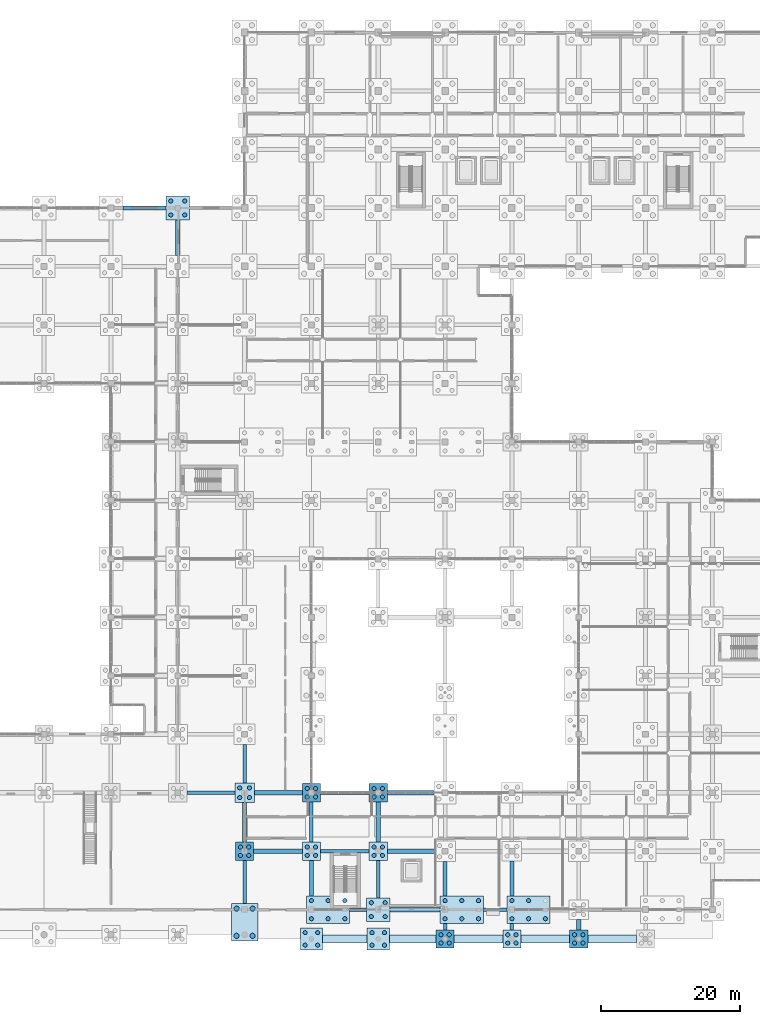
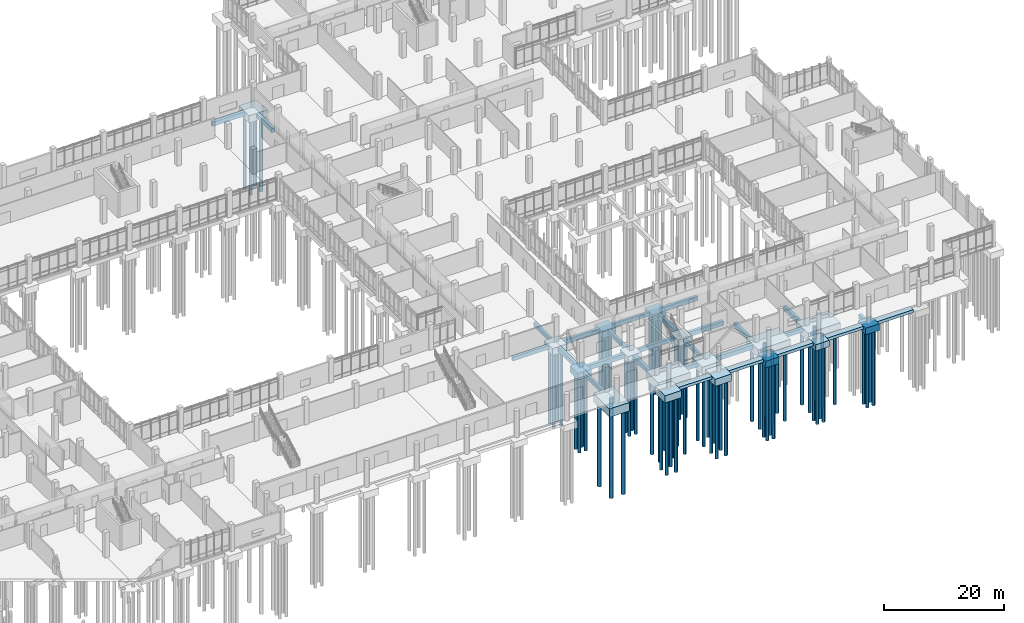
# One storey, part 11 of 136: 73 piles, 46 footings.
"""IFC4 building model written with IfcOpenShell, lengths in metres."""

from ifc_helpers import new_model, si_unit, direction, frame, origin, origin_2d, place, context, subcontext, project, spatial, rectangle, circle, extrude, material, material_profile, profile_set, type_object, element, save


model = new_model("IFC4")

# Units and contexts
model_context = context("Model", 3, precision=1e-05, world=origin(), true_north=direction((0.0, 1.0)))
body_context = subcontext(model_context, "Body", "Model", "MODEL_VIEW")
ifc_project = project(units=[si_unit("LENGTHUNIT", "METRE"), si_unit("AREAUNIT", "SQUARE_METRE"), si_unit("VOLUMEUNIT", "CUBIC_METRE"), si_unit("PLANEANGLEUNIT", "RADIAN"), si_unit("MASSUNIT", "GRAM", prefix="KILO")], contexts=[model_context])

# Site, building, storey
site_placement = place(None, origin())
site = spatial("IfcSite", under=ifc_project, at=site_placement, CompositionType="ELEMENT")
building_placement = place(site_placement, origin())
building = spatial("IfcBuilding", under=site, at=building_placement, Name="Oolite Switchyard Hospital", CompositionType="ELEMENT")
storey_placement = place(building_placement, origin())
storey = spatial("IfcBuildingStorey", under=building, at=storey_placement, Name="L00", CompositionType="ELEMENT", Elevation=0.0)

# Footings
ifc_material = material(Name="Concrete C40/50", Category="concrete")
footing_type_1 = type_object("IfcFootingType", Name="FTG-GB500X800", PredefinedType="FOOTING_BEAM", material=ifc_material)
footing_1_placement = place(storey_placement, frame((150.699951171875, 8.39990234375, -1.14990234375), z_axis=(0.0, 0.0, 1.0), x_axis=(1.0, 0.0, 0.0)))
element("IfcFooting", 1, at=footing_1_placement, inside=storey, type_object=footing_type_1, Name="L00 Grade Beam 14", PredefinedType="FOOTING_BEAM", context=body_context, shape_type="SweptSolid", body=[
    extrude(rectangle(XDim=2.39990234375, YDim=0.5, at=origin_2d()), origin(), (0.0, 0.0, 1.0), 0.800048828125),
])
footing_2_placement = place(storey_placement, frame((170.39990234375, 8.39990234375, -1.14990234375), z_axis=(0.0, 0.0, 1.0), x_axis=(1.0, 0.0, 0.0)))
element("IfcFooting", 2, at=footing_2_placement, inside=storey, type_object=footing_type_1, Name="L00 Grade Beam 16", PredefinedType="FOOTING_BEAM", context=body_context, shape_type="SweptSolid", body=[
    extrude(rectangle(XDim=3.39990234375, YDim=0.5, at=origin_2d()), origin(), (0.0, 0.0, 1.0), 0.800048828125),
])
footing_3_placement = place(storey_placement, frame((148.800048828125, 16.800048828125, -1.14990234375), z_axis=(0.0, 0.0, 1.0), x_axis=(1.0, 0.0, 0.0)))
element("IfcFooting", 3, at=footing_3_placement, inside=storey, type_object=footing_type_1, Name="L00 Grade Beam 28", PredefinedType="FOOTING_BEAM", context=body_context, shape_type="SweptSolid", body=[
    extrude(rectangle(XDim=7.0, YDim=0.5, at=origin_2d()), origin(), (0.0, 0.0, 1.0), 0.800048828125),
])
footing_4_placement = place(storey_placement, frame((129.550048828125, 25.199951171875, -1.14990234375), z_axis=(0.0, 0.0, 1.0), x_axis=(1.0, 0.0, 0.0)))
element("IfcFooting", 4, at=footing_4_placement, inside=storey, type_object=footing_type_1, Name="L00 Grade Beam 48", PredefinedType="FOOTING_BEAM", context=body_context, shape_type="SweptSolid", body=[
    extrude(rectangle(XDim=6.89990234375, YDim=0.5, at=origin_2d()), origin(), (0.0, 0.0, 1.0), 0.800048828125),
])
footing_5_placement = place(storey_placement, frame((148.800048828125, 25.199951171875, -1.14990234375), z_axis=(0.0, 0.0, 1.0), x_axis=(1.0, 0.0, 0.0)))
element("IfcFooting", 5, at=footing_5_placement, inside=storey, type_object=footing_type_1, Name="L00 Grade Beam 50", PredefinedType="FOOTING_BEAM", context=body_context, shape_type="SweptSolid", body=[
    extrude(rectangle(XDim=7.0, YDim=0.5, at=origin_2d()), origin(), (0.0, 0.0, 1.0), 0.800048828125),
])
footing_6_placement = place(storey_placement, frame((134.39990234375, 12.39990234375, -1.14990234375), z_axis=(0.0, 0.0, 1.0), x_axis=(0.0, 1.0, 0.0)))
element("IfcFooting", 6, at=footing_6_placement, inside=storey, type_object=footing_type_1, Name="L00 Grade Beam 421", PredefinedType="FOOTING_BEAM", context=body_context, shape_type="SweptSolid", body=[
    extrude(rectangle(XDim=6.199951171875, YDim=0.5, at=origin_2d()), origin(), (0.0, 0.0, 1.0), 0.800048828125),
])
footing_7_placement = place(storey_placement, frame((134.39990234375, 29.35009765625, -1.14990234375), z_axis=(0.0, 0.0, 1.0), x_axis=(0.0, 1.0, 0.0)))
element("IfcFooting", 7, at=footing_7_placement, inside=storey, type_object=footing_type_1, Name="L00 Grade Beam 423", PredefinedType="FOOTING_BEAM", context=body_context, shape_type="SweptSolid", body=[
    extrude(rectangle(XDim=5.5, YDim=0.5, at=origin_2d()), origin(), (0.0, 0.0, 1.0), 0.800048828125),
])
footing_8_placement = place(storey_placement, frame((144.0, 21.0, -1.14990234375), z_axis=(0.0, 0.0, 1.0), x_axis=(0.0, 1.0, 0.0)))
element("IfcFooting", 8, at=footing_8_placement, inside=storey, type_object=footing_type_1, Name="L00 Grade Beam 435", PredefinedType="FOOTING_BEAM", context=body_context, shape_type="SweptSolid", body=[
    extrude(rectangle(XDim=5.800048828125, YDim=0.5, at=origin_2d()), origin(), (0.0, 0.0, 1.0), 0.800048828125),
])
footing_9_placement = place(storey_placement, frame((153.60009765625, 12.800048828125, -1.14990234375), z_axis=(0.0, 0.0, 1.0), x_axis=(0.0, 1.0, 0.0)))
element("IfcFooting", 9, at=footing_9_placement, inside=storey, type_object=footing_type_1, Name="L00 Grade Beam 445", PredefinedType="FOOTING_BEAM", context=body_context, shape_type="SweptSolid", body=[
    extrude(rectangle(XDim=5.39990234375, YDim=0.5, at=origin_2d()), origin(), (0.0, 0.0, 1.0), 0.800048828125),
])
for number, where, z_axis, x_axis, name in (
    (10, (163.199951171875, 5.949951171875, -1.14990234375), (0.0, 0.0, 1.0), (0.0, 1.0, 0.0), "L00 Grade Beam 455"),
    (11, (172.800048828125, 5.949951171875, -1.14990234375), (0.0, 0.0, 1.0), (0.0, 1.0, 0.0), "L00 Grade Beam 469"),
):
    element("IfcFooting", number, at=place(storey_placement, frame(where, z_axis=z_axis, x_axis=x_axis)), inside=storey, type_object=footing_type_1, Name=name, PredefinedType="FOOTING_BEAM", context=body_context, shape_type="SweptSolid", body=[
        extrude(rectangle(XDim=0.89990234375, YDim=0.5, at=origin_2d()), origin(), (0.0, 0.0, 1.0), 0.800048828125),
    ])
footing_type_2 = type_object("IfcFootingType", Name="FTG-GB600X900", PredefinedType="FOOTING_BEAM", material=ifc_material)
footing_10_placement = place(storey_placement, frame((158.89990234375, 8.39990234375, -1.25), z_axis=(0.0, 0.0, 1.0), x_axis=(1.0, 0.0, 0.0)))
element("IfcFooting", 12, at=footing_10_placement, inside=storey, type_object=footing_type_2, Name="L00 Grade Beam 15", PredefinedType="FOOTING_BEAM", context=body_context, shape_type="SweptSolid", body=[
    extrude(rectangle(XDim=7.199951171875, YDim=0.60009765625, at=origin_2d()), origin(), (0.0, 0.0, 1.0), 0.89990234375),
])
footing_11_placement = place(storey_placement, frame((139.199951171875, 16.800048828125, -1.25), z_axis=(0.0, 0.0, 1.0), x_axis=(1.0, 0.0, 0.0)))
element("IfcFooting", 13, at=footing_11_placement, inside=storey, type_object=footing_type_2, Name="L00 Grade Beam 27", PredefinedType="FOOTING_BEAM", context=body_context, shape_type="SweptSolid", body=[
    extrude(rectangle(XDim=7.0, YDim=0.60009765625, at=origin_2d()), origin(), (0.0, 0.0, 1.0), 0.89990234375),
])
footing_12_placement = place(storey_placement, frame((158.300048828125, 16.800048828125, -1.25), z_axis=(0.0, 0.0, 1.0), x_axis=(1.0, 0.0, 0.0)))
element("IfcFooting", 14, at=footing_12_placement, inside=storey, type_object=footing_type_2, Name="L00 Grade Beam 29", PredefinedType="FOOTING_BEAM", context=body_context, shape_type="SweptSolid", body=[
    extrude(rectangle(XDim=6.800048828125, YDim=0.60009765625, at=origin_2d()), origin(), (0.0, 0.0, 1.0), 0.89990234375),
])
footing_13_placement = place(storey_placement, frame((139.25, 25.199951171875, -1.25), z_axis=(0.0, 0.0, 1.0), x_axis=(1.0, 0.0, 0.0)))
element("IfcFooting", 15, at=footing_13_placement, inside=storey, type_object=footing_type_2, Name="L00 Grade Beam 49", PredefinedType="FOOTING_BEAM", context=body_context, shape_type="SweptSolid", body=[
    extrude(rectangle(XDim=6.89990234375, YDim=0.60009765625, at=origin_2d()), origin(), (0.0, 0.0, 1.0), 0.89990234375),
])
footing_14_placement = place(storey_placement, frame((158.25, 25.199951171875, -1.25), z_axis=(0.0, 0.0, 1.0), x_axis=(1.0, 0.0, 0.0)))
element("IfcFooting", 16, at=footing_14_placement, inside=storey, type_object=footing_type_2, Name="L00 Grade Beam 51", PredefinedType="FOOTING_BEAM", context=body_context, shape_type="SweptSolid", body=[
    extrude(rectangle(XDim=6.699951171875, YDim=0.60009765625, at=origin_2d()), origin(), (0.0, 0.0, 1.0), 0.89990234375),
])
footing_15_placement = place(storey_placement, frame((120.0, 109.199951171875, -1.25), z_axis=(0.0, 0.0, 1.0), x_axis=(1.0, 0.0, 0.0)))
element("IfcFooting", 17, at=footing_15_placement, inside=storey, type_object=footing_type_2, Name="L00 Grade Beam 209", PredefinedType="FOOTING_BEAM", context=body_context, shape_type="SweptSolid", body=[
    extrude(rectangle(XDim=6.199951171875, YDim=0.60009765625, at=origin_2d()), origin(), (0.0, 0.0, 1.0), 0.89990234375),
])
footing_16_placement = place(storey_placement, frame((124.800048828125, 104.949951171875, -1.25), z_axis=(0.0, 0.0, 1.0), x_axis=(0.0, 1.0, 0.0)))
element("IfcFooting", 18, at=footing_16_placement, inside=storey, type_object=footing_type_2, Name="L00 Grade Beam 420", PredefinedType="FOOTING_BEAM", context=body_context, shape_type="SweptSolid", body=[
    extrude(rectangle(XDim=5.10009765625, YDim=0.60009765625, at=origin_2d()), origin(), (0.0, 0.0, 1.0), 0.89990234375),
])
footing_17_placement = place(storey_placement, frame((134.39990234375, 20.949951171875, -1.25), z_axis=(0.0, 0.0, 1.0), x_axis=(0.0, 1.0, 0.0)))
element("IfcFooting", 19, at=footing_17_placement, inside=storey, type_object=footing_type_2, Name="L00 Grade Beam 422", PredefinedType="FOOTING_BEAM", context=body_context, shape_type="SweptSolid", body=[
    extrude(rectangle(XDim=5.699951171875, YDim=0.60009765625, at=origin_2d()), origin(), (0.0, 0.0, 1.0), 0.89990234375),
])
footing_18_placement = place(storey_placement, frame((144.0, 12.949951171875, -1.25), z_axis=(0.0, 0.0, 1.0), x_axis=(0.0, 1.0, 0.0)))
element("IfcFooting", 20, at=footing_18_placement, inside=storey, type_object=footing_type_2, Name="L00 Grade Beam 434", PredefinedType="FOOTING_BEAM", context=body_context, shape_type="SweptSolid", body=[
    extrude(rectangle(XDim=5.10009765625, YDim=0.60009765625, at=origin_2d()), origin(), (0.0, 0.0, 1.0), 0.89990234375),
])
footing_19_placement = place(storey_placement, frame((153.60009765625, 21.0, -1.25), z_axis=(0.0, 0.0, 1.0), x_axis=(0.0, 1.0, 0.0)))
element("IfcFooting", 21, at=footing_19_placement, inside=storey, type_object=footing_type_2, Name="L00 Grade Beam 446", PredefinedType="FOOTING_BEAM", context=body_context, shape_type="SweptSolid", body=[
    extrude(rectangle(XDim=5.800048828125, YDim=0.60009765625, at=origin_2d()), origin(), (0.0, 0.0, 1.0), 0.89990234375),
])
footing_20_placement = place(storey_placement, frame((163.199951171875, 12.85009765625, -1.25), z_axis=(0.0, 0.0, 1.0), x_axis=(0.0, 1.0, 0.0)))
element("IfcFooting", 22, at=footing_20_placement, inside=storey, type_object=footing_type_2, Name="L00 Grade Beam 456", PredefinedType="FOOTING_BEAM", context=body_context, shape_type="SweptSolid", body=[
    extrude(rectangle(XDim=4.89990234375, YDim=0.60009765625, at=origin_2d()), origin(), (0.0, 0.0, 1.0), 0.89990234375),
])
footing_21_placement = place(storey_placement, frame((172.800048828125, 12.89990234375, -1.25), z_axis=(0.0, 0.0, 1.0), x_axis=(0.0, 1.0, 0.0)))
element("IfcFooting", 23, at=footing_21_placement, inside=storey, type_object=footing_type_2, Name="L00 Grade Beam 470", PredefinedType="FOOTING_BEAM", context=body_context, shape_type="SweptSolid", body=[
    extrude(rectangle(XDim=5.0, YDim=0.60009765625, at=origin_2d()), origin(), (0.0, 0.0, 1.0), 0.89990234375),
])
footing_22_placement = place(storey_placement, frame((182.39990234375, 6.25, -1.25), z_axis=(0.0, 0.0, 1.0), x_axis=(0.0, 1.0, 0.0)))
element("IfcFooting", 24, at=footing_22_placement, inside=storey, type_object=footing_type_2, Name="L00 Grade Beam 484", PredefinedType="FOOTING_BEAM", context=body_context, shape_type="SweptSolid", body=[
    extrude(rectangle(XDim=1.5, YDim=0.60009765625, at=origin_2d()), origin(), (0.0, 0.0, 1.0), 0.89990234375),
])
footing_type_3 = type_object("IfcFootingType", Name="FTG-PC24", PredefinedType="PILE_CAP", material=ifc_material)
for number, where, z_axis, x_axis, name in (
    (25, (144.0, 16.800048828125, -1.64990234375), (0.0, 0.0, 1.0), (1.0, 0.0, 0.0), "L00 Multi-Pile Cap 205"),
    (26, (153.60009765625, 16.800048828125, -1.64990234375), (0.0, 0.0, 1.0), (1.0, 0.0, 0.0), "L00 Multi-Pile Cap 222"),
    (27, (172.800048828125, 4.199951171875, -1.64990234375), (0.0, 0.0, 1.0), (1.0, 0.0, 0.0), "L00 Multi-Pile Cap 252"),
):
    element("IfcFooting", number, at=place(storey_placement, frame(where, z_axis=z_axis, x_axis=x_axis)), inside=storey, type_object=footing_type_3, Name=name, PredefinedType="PILE_CAP", context=body_context, shape_type="SweptSolid", body=[
        extrude(rectangle(XDim=2.60009765625, YDim=2.60009765625, at=origin_2d()), origin(), (0.0, 0.0, 1.0), 1.300048828125),
    ])
footing_type_4 = type_object("IfcFootingType", Name="FTG-PC26", PredefinedType="PILE_CAP", material=ifc_material)
for number, where, z_axis, x_axis, name in (
    (28, (134.39990234375, 16.800048828125, -1.699951171875), (0.0, 0.0, 1.0), (1.0, 0.0, 0.0), "L00 Multi-Pile Cap 188"),
    (29, (144.0, 25.199951171875, -1.699951171875), (0.0, 0.0, 1.0), (1.0, 0.0, 0.0), "L00 Multi-Pile Cap 206"),
    (30, (153.60009765625, 25.199951171875, -1.699951171875), (0.0, 0.0, 1.0), (1.0, 0.0, 0.0), "L00 Multi-Pile Cap 223"),
    (31, (163.199951171875, 4.199951171875, -1.699951171875), (0.0, 0.0, 1.0), (1.0, 0.0, 0.0), "L00 Multi-Pile Cap 235"),
    (32, (182.39990234375, 4.199951171875, -1.699951171875), (0.0, 0.0, 1.0), (1.0, 0.0, 0.0), "L00 Multi-Pile Cap 270"),
):
    element("IfcFooting", number, at=place(storey_placement, frame(where, z_axis=z_axis, x_axis=x_axis)), inside=storey, type_object=footing_type_4, Name=name, PredefinedType="PILE_CAP", context=body_context, shape_type="SweptSolid", body=[
        extrude(rectangle(XDim=2.60009765625, YDim=2.60009765625, at=origin_2d()), origin(), (0.0, 0.0, 1.0), 1.35009765625),
    ])
footing_type_5 = type_object("IfcFootingType", Name="FTG-PC28", PredefinedType="PILE_CAP", material=ifc_material)
footing_23_placement = place(storey_placement, frame((134.39990234375, 25.199951171875, -1.75), z_axis=(0.0, 0.0, 1.0), x_axis=(1.0, 0.0, 0.0)))
element("IfcFooting", 33, at=footing_23_placement, inside=storey, type_object=footing_type_5, Name="L00 Multi-Pile Cap 189", PredefinedType="PILE_CAP", context=body_context, shape_type="SweptSolid", body=[
    extrude(rectangle(XDim=2.800048828125, YDim=2.800048828125, at=origin_2d()), origin(), (0.0, 0.0, 1.0), 1.39990234375),
])
footing_type_6 = type_object("IfcFootingType", Name="FTG-PC32", PredefinedType="PILE_CAP", material=ifc_material)
for number, where, z_axis, x_axis, name in (
    (34, (144.0, 4.199951171875, -1.7998046875), (0.0, 0.0, 1.0), (1.0, 0.0, 0.0), "L00 Multi-Pile Cap 203"),
    (35, (153.60009765625, 4.199951171875, -1.7998046875), (0.0, 0.0, 1.0), (1.0, 0.0, 0.0), "L00 Multi-Pile Cap 220"),
):
    element("IfcFooting", number, at=place(storey_placement, frame(where, z_axis=z_axis, x_axis=x_axis)), inside=storey, type_object=footing_type_6, Name=name, PredefinedType="PILE_CAP", context=body_context, shape_type="SweptSolid", body=[
        extrude(rectangle(XDim=3.199951171875, YDim=3.199951171875, at=origin_2d()), origin(), (0.0, 0.0, 1.0), 1.449951171875),
    ])
footing_type_7 = type_object("IfcFootingType", Name="FTG-PC34", PredefinedType="PILE_CAP", material=ifc_material)
for number, where, z_axis, x_axis, name in (
    (36, (124.800048828125, 109.199951171875, -1.85009765625), (0.0, 0.0, 1.0), (1.0, 0.0, 0.0), "L00 Multi-Pile Cap 186"),
    (37, (153.60009765625, 8.39990234375, -1.85009765625), (0.0, 0.0, 1.0), (1.0, 0.0, 0.0), "L00 Multi-Pile Cap 221"),
):
    element("IfcFooting", number, at=place(storey_placement, frame(where, z_axis=z_axis, x_axis=x_axis)), inside=storey, type_object=footing_type_7, Name=name, PredefinedType="PILE_CAP", context=body_context, shape_type="SweptSolid", body=[
        extrude(rectangle(XDim=3.39990234375, YDim=3.39990234375, at=origin_2d()), origin(), (0.0, 0.0, 1.0), 1.5),
    ])
footing_type_8 = type_object("IfcFootingType", Name="FTG-PC54X38", PredefinedType="PILE_CAP", material=ifc_material)
footing_24_placement = place(storey_placement, frame((134.39990234375, 6.60009765625, -2.0498046875), z_axis=(0.0, 0.0, 1.0), x_axis=(0.0, 1.0, 0.0)))
element("IfcFooting", 38, at=footing_24_placement, inside=storey, type_object=footing_type_8, Name="L00 Multi-Pile Cap 187", PredefinedType="PILE_CAP", context=body_context, shape_type="SweptSolid", body=[
    extrude(rectangle(XDim=5.39990234375, YDim=3.800048828125, at=origin_2d()), origin(), (0.0, 0.0, 1.0), 1.699951171875),
])
footing_type_9 = type_object("IfcFootingType", Name="FTG-PC62X40", PredefinedType="PILE_CAP", material=ifc_material)
for number, where, z_axis, x_axis, name in (
    (39, (146.39990234375, 8.39990234375, -2.10009765625), (0.0, 0.0, 1.0), (1.0, 0.0, 0.0), "L00 Multi-Pile Cap 204"),
    (40, (165.60009765625, 8.39990234375, -2.10009765625), (0.0, 0.0, 1.0), (1.0, 0.0, 0.0), "L00 Multi-Pile Cap 236"),
    (41, (175.199951171875, 8.39990234375, -2.10009765625), (0.0, 0.0, 1.0), (1.0, 0.0, 0.0), "L00 Multi-Pile Cap 253"),
):
    element("IfcFooting", number, at=place(storey_placement, frame(where, z_axis=z_axis, x_axis=x_axis)), inside=storey, type_object=footing_type_9, Name=name, PredefinedType="PILE_CAP", context=body_context, shape_type="SweptSolid", body=[
        extrude(rectangle(XDim=6.199951171875, YDim=4.0, at=origin_2d()), origin(), (0.0, 0.0, 1.0), 1.75),
    ])
footing_type_10 = type_object("IfcFootingType", Name="FTG-SF1200X600", PredefinedType="STRIP_FOOTING", material=ifc_material)
footing_25_placement = place(storey_placement, frame((148.800048828125, 4.199951171875, -0.949951171875), z_axis=(0.0, 0.0, 1.0), x_axis=(1.0, 0.0, 0.0)))
element("IfcFooting", 42, at=footing_25_placement, inside=storey, type_object=footing_type_10, Name="L00 Colonnade Strip Footing 1", PredefinedType="STRIP_FOOTING", context=body_context, shape_type="SweptSolid", body=[
    extrude(rectangle(XDim=6.39990234375, YDim=1.199951171875, at=origin_2d()), origin(), (0.0, 0.0, 1.0), 0.60009765625),
])
footing_26_placement = place(storey_placement, frame((158.550048828125, 4.199951171875, -0.949951171875), z_axis=(0.0, 0.0, 1.0), x_axis=(1.0, 0.0, 0.0)))
element("IfcFooting", 43, at=footing_26_placement, inside=storey, type_object=footing_type_10, Name="L00 Colonnade Strip Footing 2", PredefinedType="STRIP_FOOTING", context=body_context, shape_type="SweptSolid", body=[
    extrude(rectangle(XDim=6.699951171875, YDim=1.199951171875, at=origin_2d()), origin(), (0.0, 0.0, 1.0), 0.60009765625),
])
for number, where, z_axis, x_axis, name in (
    (44, (168.0, 4.199951171875, -0.949951171875), (0.0, 0.0, 1.0), (1.0, 0.0, 0.0), "L00 Colonnade Strip Footing 3"),
    (45, (177.60009765625, 4.199951171875, -0.949951171875), (0.0, 0.0, 1.0), (1.0, 0.0, 0.0), "L00 Colonnade Strip Footing 4"),
    (46, (187.199951171875, 4.199951171875, -0.949951171875), (0.0, 0.0, 1.0), (1.0, 0.0, 0.0), "L00 Colonnade Strip Footing 5"),
):
    element("IfcFooting", number, at=place(storey_placement, frame(where, z_axis=z_axis, x_axis=x_axis)), inside=storey, type_object=footing_type_10, Name=name, PredefinedType="STRIP_FOOTING", context=body_context, shape_type="SweptSolid", body=[
        extrude(rectangle(XDim=7.0, YDim=1.199951171875, at=origin_2d()), origin(), (0.0, 0.0, 1.0), 0.60009765625),
    ])

# Piles
ifc_material_profile_1 = material_profile(ifc_material, circle(Radius=0.300048828125, at=origin_2d()), Name="PILE600")
ifc_profile_set_1 = profile_set([ifc_material_profile_1], Name="Concrete C40/50")
pile_type_1 = type_object("IfcPileType", Name="PILE-ACIP600", PredefinedType="BORED", material=ifc_profile_set_1)
for number, where, z_axis, x_axis, name in (
    (47, (123.800048828125, 108.199951171875, -1.699951171875), (0.0, 0.0, -1.0), (1.0, 0.0, 0.0), "Augercast Pile 741"),
    (48, (125.800048828125, 108.199951171875, -1.699951171875), (0.0, 0.0, -1.0), (1.0, 0.0, 0.0), "Augercast Pile 742"),
    (49, (123.800048828125, 110.199951171875, -1.699951171875), (0.0, 0.0, -1.0), (1.0, 0.0, 0.0), "Augercast Pile 743"),
    (50, (125.800048828125, 110.199951171875, -1.699951171875), (0.0, 0.0, -1.0), (1.0, 0.0, 0.0), "Augercast Pile 744"),
):
    element("IfcPile", number, at=place(storey_placement, frame(where, z_axis=z_axis, x_axis=x_axis)), inside=storey, type_object=pile_type_1, Name=name, PredefinedType="BORED", context=body_context, shape_type="SweptSolid", body=[
        extrude(circle(Radius=0.300048828125, at=origin_2d()), origin(), (0.0, 0.0, 1.0), 15.300048828125),
    ])
for number, where, z_axis, x_axis, name in (
    (51, (133.800048828125, 16.199951171875, -1.550048828125), (0.0, 0.0, -1.0), (1.0, 0.0, 0.0), "Augercast Pile 749"),
    (52, (135.0, 16.199951171875, -1.550048828125), (0.0, 0.0, -1.0), (1.0, 0.0, 0.0), "Augercast Pile 750"),
    (53, (133.800048828125, 17.39990234375, -1.550048828125), (0.0, 0.0, -1.0), (1.0, 0.0, 0.0), "Augercast Pile 751"),
    (54, (135.0, 17.39990234375, -1.550048828125), (0.0, 0.0, -1.0), (1.0, 0.0, 0.0), "Augercast Pile 752"),
):
    element("IfcPile", number, at=place(storey_placement, frame(where, z_axis=z_axis, x_axis=x_axis)), inside=storey, type_object=pile_type_1, Name=name, PredefinedType="BORED", context=body_context, shape_type="SweptSolid", body=[
        extrude(circle(Radius=0.300048828125, at=origin_2d()), origin(), (0.0, 0.0, 1.0), 15.449951171875),
    ])
for number, where, z_axis, x_axis, name in (
    (55, (133.699951171875, 24.5, -1.60009765625), (0.0, 0.0, -1.0), (1.0, 0.0, 0.0), "Augercast Pile 753"),
    (56, (135.10009765625, 24.5, -1.60009765625), (0.0, 0.0, -1.0), (1.0, 0.0, 0.0), "Augercast Pile 754"),
    (57, (133.699951171875, 25.89990234375, -1.60009765625), (0.0, 0.0, -1.0), (1.0, 0.0, 0.0), "Augercast Pile 755"),
    (58, (135.10009765625, 25.89990234375, -1.60009765625), (0.0, 0.0, -1.0), (1.0, 0.0, 0.0), "Augercast Pile 756"),
):
    element("IfcPile", number, at=place(storey_placement, frame(where, z_axis=z_axis, x_axis=x_axis)), inside=storey, type_object=pile_type_1, Name=name, PredefinedType="BORED", context=body_context, shape_type="SweptSolid", body=[
        extrude(circle(Radius=0.300048828125, at=origin_2d()), origin(), (0.0, 0.0, 1.0), 15.39990234375),
    ])
for number, where, z_axis, x_axis, name in (
    (59, (143.10009765625, 3.300048828125, -1.64990234375), (0.0, 0.0, -1.0), (1.0, 0.0, 0.0), "Augercast Pile 811"),
    (60, (144.89990234375, 3.300048828125, -1.64990234375), (0.0, 0.0, -1.0), (1.0, 0.0, 0.0), "Augercast Pile 812"),
    (61, (143.10009765625, 5.10009765625, -1.64990234375), (0.0, 0.0, -1.0), (1.0, 0.0, 0.0), "Augercast Pile 813"),
    (62, (144.89990234375, 5.10009765625, -1.64990234375), (0.0, 0.0, -1.0), (1.0, 0.0, 0.0), "Augercast Pile 814"),
):
    element("IfcPile", number, at=place(storey_placement, frame(where, z_axis=z_axis, x_axis=x_axis)), inside=storey, type_object=pile_type_1, Name=name, PredefinedType="BORED", context=body_context, shape_type="SweptSolid", body=[
        extrude(circle(Radius=0.300048828125, at=origin_2d()), origin(), (0.0, 0.0, 1.0), 15.35009765625),
    ])
for number, where, z_axis, x_axis, name in (
    (63, (144.0, 7.10009765625, -1.949951171875), (0.0, 0.0, -1.0), (1.0, 0.0, 0.0), "Augercast Pile 815"),
    (64, (146.39990234375, 7.10009765625, -1.949951171875), (0.0, 0.0, -1.0), (1.0, 0.0, 0.0), "Augercast Pile 816"),
    (65, (148.800048828125, 7.10009765625, -1.949951171875), (0.0, 0.0, -1.0), (1.0, 0.0, 0.0), "Augercast Pile 817"),
    (66, (144.0, 9.699951171875, -1.949951171875), (0.0, 0.0, -1.0), (1.0, 0.0, 0.0), "Augercast Pile 818"),
    (67, (146.39990234375, 9.699951171875, -1.949951171875), (0.0, 0.0, -1.0), (1.0, 0.0, 0.0), "Augercast Pile 819"),
    (68, (148.800048828125, 9.699951171875, -1.949951171875), (0.0, 0.0, -1.0), (1.0, 0.0, 0.0), "Augercast Pile 820"),
):
    element("IfcPile", number, at=place(storey_placement, frame(where, z_axis=z_axis, x_axis=x_axis)), inside=storey, type_object=pile_type_1, Name=name, PredefinedType="BORED", context=body_context, shape_type="SweptSolid", body=[
        extrude(circle(Radius=0.300048828125, at=origin_2d()), origin(), (0.0, 0.0, 1.0), 15.050048828125),
    ])
for number, where, z_axis, x_axis, name in (
    (69, (143.39990234375, 16.199951171875, -1.5), (0.0, 0.0, -1.0), (1.0, 0.0, 0.0), "Augercast Pile 821"),
    (70, (144.60009765625, 16.199951171875, -1.5), (0.0, 0.0, -1.0), (1.0, 0.0, 0.0), "Augercast Pile 822"),
    (71, (143.39990234375, 17.39990234375, -1.5), (0.0, 0.0, -1.0), (1.0, 0.0, 0.0), "Augercast Pile 823"),
    (72, (144.60009765625, 17.39990234375, -1.5), (0.0, 0.0, -1.0), (1.0, 0.0, 0.0), "Augercast Pile 824"),
):
    element("IfcPile", number, at=place(storey_placement, frame(where, z_axis=z_axis, x_axis=x_axis)), inside=storey, type_object=pile_type_1, Name=name, PredefinedType="BORED", context=body_context, shape_type="SweptSolid", body=[
        extrude(circle(Radius=0.300048828125, at=origin_2d()), origin(), (0.0, 0.0, 1.0), 15.5),
    ])
for number, where, z_axis, x_axis, name in (
    (73, (143.39990234375, 24.60009765625, -1.550048828125), (0.0, 0.0, -1.0), (1.0, 0.0, 0.0), "Augercast Pile 825"),
    (74, (144.60009765625, 24.60009765625, -1.550048828125), (0.0, 0.0, -1.0), (1.0, 0.0, 0.0), "Augercast Pile 826"),
    (75, (143.39990234375, 25.800048828125, -1.550048828125), (0.0, 0.0, -1.0), (1.0, 0.0, 0.0), "Augercast Pile 827"),
    (76, (144.60009765625, 25.800048828125, -1.550048828125), (0.0, 0.0, -1.0), (1.0, 0.0, 0.0), "Augercast Pile 828"),
):
    element("IfcPile", number, at=place(storey_placement, frame(where, z_axis=z_axis, x_axis=x_axis)), inside=storey, type_object=pile_type_1, Name=name, PredefinedType="BORED", context=body_context, shape_type="SweptSolid", body=[
        extrude(circle(Radius=0.300048828125, at=origin_2d()), origin(), (0.0, 0.0, 1.0), 15.449951171875),
    ])
for number, where, z_axis, x_axis, name in (
    (77, (152.699951171875, 3.300048828125, -1.64990234375), (0.0, 0.0, -1.0), (1.0, 0.0, 0.0), "Augercast Pile 883"),
    (78, (154.5, 3.300048828125, -1.64990234375), (0.0, 0.0, -1.0), (1.0, 0.0, 0.0), "Augercast Pile 884"),
    (79, (152.699951171875, 5.10009765625, -1.64990234375), (0.0, 0.0, -1.0), (1.0, 0.0, 0.0), "Augercast Pile 885"),
    (80, (154.5, 5.10009765625, -1.64990234375), (0.0, 0.0, -1.0), (1.0, 0.0, 0.0), "Augercast Pile 886"),
):
    element("IfcPile", number, at=place(storey_placement, frame(where, z_axis=z_axis, x_axis=x_axis)), inside=storey, type_object=pile_type_1, Name=name, PredefinedType="BORED", context=body_context, shape_type="SweptSolid", body=[
        extrude(circle(Radius=0.300048828125, at=origin_2d()), origin(), (0.0, 0.0, 1.0), 15.35009765625),
    ])
for number, where, z_axis, x_axis, name in (
    (81, (152.60009765625, 7.39990234375, -1.699951171875), (0.0, 0.0, -1.0), (1.0, 0.0, 0.0), "Augercast Pile 887"),
    (82, (154.60009765625, 7.39990234375, -1.699951171875), (0.0, 0.0, -1.0), (1.0, 0.0, 0.0), "Augercast Pile 888"),
    (83, (152.60009765625, 9.39990234375, -1.699951171875), (0.0, 0.0, -1.0), (1.0, 0.0, 0.0), "Augercast Pile 889"),
    (84, (154.60009765625, 9.39990234375, -1.699951171875), (0.0, 0.0, -1.0), (1.0, 0.0, 0.0), "Augercast Pile 890"),
):
    element("IfcPile", number, at=place(storey_placement, frame(where, z_axis=z_axis, x_axis=x_axis)), inside=storey, type_object=pile_type_1, Name=name, PredefinedType="BORED", context=body_context, shape_type="SweptSolid", body=[
        extrude(circle(Radius=0.300048828125, at=origin_2d()), origin(), (0.0, 0.0, 1.0), 15.300048828125),
    ])
for number, where, z_axis, x_axis, name in (
    (85, (153.0, 16.199951171875, -1.5), (0.0, 0.0, -1.0), (1.0, 0.0, 0.0), "Augercast Pile 891"),
    (86, (154.199951171875, 16.199951171875, -1.5), (0.0, 0.0, -1.0), (1.0, 0.0, 0.0), "Augercast Pile 892"),
    (87, (153.0, 17.39990234375, -1.5), (0.0, 0.0, -1.0), (1.0, 0.0, 0.0), "Augercast Pile 893"),
    (88, (154.199951171875, 17.39990234375, -1.5), (0.0, 0.0, -1.0), (1.0, 0.0, 0.0), "Augercast Pile 894"),
):
    element("IfcPile", number, at=place(storey_placement, frame(where, z_axis=z_axis, x_axis=x_axis)), inside=storey, type_object=pile_type_1, Name=name, PredefinedType="BORED", context=body_context, shape_type="SweptSolid", body=[
        extrude(circle(Radius=0.300048828125, at=origin_2d()), origin(), (0.0, 0.0, 1.0), 15.5),
    ])
for number, where, z_axis, x_axis, name in (
    (89, (153.0, 24.60009765625, -1.550048828125), (0.0, 0.0, -1.0), (1.0, 0.0, 0.0), "Augercast Pile 895"),
    (90, (154.199951171875, 24.60009765625, -1.550048828125), (0.0, 0.0, -1.0), (1.0, 0.0, 0.0), "Augercast Pile 896"),
    (91, (153.0, 25.800048828125, -1.550048828125), (0.0, 0.0, -1.0), (1.0, 0.0, 0.0), "Augercast Pile 897"),
    (92, (154.199951171875, 25.800048828125, -1.550048828125), (0.0, 0.0, -1.0), (1.0, 0.0, 0.0), "Augercast Pile 898"),
    (93, (162.60009765625, 3.60009765625, -1.550048828125), (0.0, 0.0, -1.0), (1.0, 0.0, 0.0), "Augercast Pile 945"),
    (94, (163.800048828125, 3.60009765625, -1.550048828125), (0.0, 0.0, -1.0), (1.0, 0.0, 0.0), "Augercast Pile 946"),
    (95, (162.60009765625, 4.800048828125, -1.550048828125), (0.0, 0.0, -1.0), (1.0, 0.0, 0.0), "Augercast Pile 947"),
    (96, (163.800048828125, 4.800048828125, -1.550048828125), (0.0, 0.0, -1.0), (1.0, 0.0, 0.0), "Augercast Pile 948"),
):
    element("IfcPile", number, at=place(storey_placement, frame(where, z_axis=z_axis, x_axis=x_axis)), inside=storey, type_object=pile_type_1, Name=name, PredefinedType="BORED", context=body_context, shape_type="SweptSolid", body=[
        extrude(circle(Radius=0.300048828125, at=origin_2d()), origin(), (0.0, 0.0, 1.0), 15.449951171875),
    ])
for number, where, z_axis, x_axis, name in (
    (97, (163.199951171875, 7.10009765625, -1.949951171875), (0.0, 0.0, -1.0), (1.0, 0.0, 0.0), "Augercast Pile 949"),
    (98, (165.60009765625, 7.10009765625, -1.949951171875), (0.0, 0.0, -1.0), (1.0, 0.0, 0.0), "Augercast Pile 950"),
    (99, (168.0, 7.10009765625, -1.949951171875), (0.0, 0.0, -1.0), (1.0, 0.0, 0.0), "Augercast Pile 951"),
    (100, (163.199951171875, 9.699951171875, -1.949951171875), (0.0, 0.0, -1.0), (1.0, 0.0, 0.0), "Augercast Pile 952"),
    (101, (165.60009765625, 9.699951171875, -1.949951171875), (0.0, 0.0, -1.0), (1.0, 0.0, 0.0), "Augercast Pile 953"),
    (102, (168.0, 9.699951171875, -1.949951171875), (0.0, 0.0, -1.0), (1.0, 0.0, 0.0), "Augercast Pile 954"),
):
    element("IfcPile", number, at=place(storey_placement, frame(where, z_axis=z_axis, x_axis=x_axis)), inside=storey, type_object=pile_type_1, Name=name, PredefinedType="BORED", context=body_context, shape_type="SweptSolid", body=[
        extrude(circle(Radius=0.300048828125, at=origin_2d()), origin(), (0.0, 0.0, 1.0), 15.050048828125),
    ])
for number, where, z_axis, x_axis, name in (
    (103, (172.199951171875, 3.60009765625, -1.5), (0.0, 0.0, -1.0), (1.0, 0.0, 0.0), "Augercast Pile 1017"),
    (104, (173.39990234375, 3.60009765625, -1.5), (0.0, 0.0, -1.0), (1.0, 0.0, 0.0), "Augercast Pile 1018"),
    (105, (172.199951171875, 4.800048828125, -1.5), (0.0, 0.0, -1.0), (1.0, 0.0, 0.0), "Augercast Pile 1019"),
    (106, (173.39990234375, 4.800048828125, -1.5), (0.0, 0.0, -1.0), (1.0, 0.0, 0.0), "Augercast Pile 1020"),
):
    element("IfcPile", number, at=place(storey_placement, frame(where, z_axis=z_axis, x_axis=x_axis)), inside=storey, type_object=pile_type_1, Name=name, PredefinedType="BORED", context=body_context, shape_type="SweptSolid", body=[
        extrude(circle(Radius=0.300048828125, at=origin_2d()), origin(), (0.0, 0.0, 1.0), 15.5),
    ])
for number, where, z_axis, x_axis, name in (
    (107, (172.800048828125, 7.10009765625, -1.949951171875), (0.0, 0.0, -1.0), (1.0, 0.0, 0.0), "Augercast Pile 1021"),
    (108, (175.199951171875, 7.10009765625, -1.949951171875), (0.0, 0.0, -1.0), (1.0, 0.0, 0.0), "Augercast Pile 1022"),
    (109, (177.60009765625, 7.10009765625, -1.949951171875), (0.0, 0.0, -1.0), (1.0, 0.0, 0.0), "Augercast Pile 1023"),
    (110, (172.800048828125, 9.699951171875, -1.949951171875), (0.0, 0.0, -1.0), (1.0, 0.0, 0.0), "Augercast Pile 1024"),
    (111, (175.199951171875, 9.699951171875, -1.949951171875), (0.0, 0.0, -1.0), (1.0, 0.0, 0.0), "Augercast Pile 1025"),
):
    element("IfcPile", number, at=place(storey_placement, frame(where, z_axis=z_axis, x_axis=x_axis)), inside=storey, type_object=pile_type_1, Name=name, PredefinedType="BORED", context=body_context, shape_type="SweptSolid", body=[
        extrude(circle(Radius=0.300048828125, at=origin_2d()), origin(), (0.0, 0.0, 1.0), 15.050048828125),
    ])
for number, where, z_axis, x_axis, name in (
    (112, (181.800048828125, 3.60009765625, -1.550048828125), (0.0, 0.0, -1.0), (1.0, 0.0, 0.0), "Augercast Pile 1091"),
    (113, (183.0, 3.60009765625, -1.550048828125), (0.0, 0.0, -1.0), (1.0, 0.0, 0.0), "Augercast Pile 1092"),
    (114, (181.800048828125, 4.800048828125, -1.550048828125), (0.0, 0.0, -1.0), (1.0, 0.0, 0.0), "Augercast Pile 1093"),
    (115, (183.0, 4.800048828125, -1.550048828125), (0.0, 0.0, -1.0), (1.0, 0.0, 0.0), "Augercast Pile 1094"),
):
    element("IfcPile", number, at=place(storey_placement, frame(where, z_axis=z_axis, x_axis=x_axis)), inside=storey, type_object=pile_type_1, Name=name, PredefinedType="BORED", context=body_context, shape_type="SweptSolid", body=[
        extrude(circle(Radius=0.300048828125, at=origin_2d()), origin(), (0.0, 0.0, 1.0), 15.449951171875),
    ])
ifc_material_profile_2 = material_profile(ifc_material, circle(Radius=0.375, at=origin_2d()), Name="PILE750")
ifc_profile_set_2 = profile_set([ifc_material_profile_2], Name="Concrete C40/50")
pile_type_2 = type_object("IfcPileType", Name="PILE-ACIP750", PredefinedType="BORED", material=ifc_profile_set_2)
for number, where, z_axis, x_axis, name in (
    (116, (133.25, 4.64990234375, -1.89990234375), (0.0, 0.0, -1.0), (1.0, 0.0, 0.0), "Augercast Pile 745"),
    (117, (135.550048828125, 4.64990234375, -1.89990234375), (0.0, 0.0, -1.0), (1.0, 0.0, 0.0), "Augercast Pile 746"),
    (118, (133.25, 8.550048828125, -1.89990234375), (0.0, 0.0, -1.0), (1.0, 0.0, 0.0), "Augercast Pile 747"),
    (119, (135.550048828125, 8.550048828125, -1.89990234375), (0.0, 0.0, -1.0), (1.0, 0.0, 0.0), "Augercast Pile 748"),
):
    element("IfcPile", number, at=place(storey_placement, frame(where, z_axis=z_axis, x_axis=x_axis)), inside=storey, type_object=pile_type_2, Name=name, PredefinedType="BORED", context=body_context, shape_type="SweptSolid", body=[
        extrude(circle(Radius=0.375, at=origin_2d()), origin(), (0.0, 0.0, 1.0), 17.10009765625),
    ])

save(model, "model.ifc")
